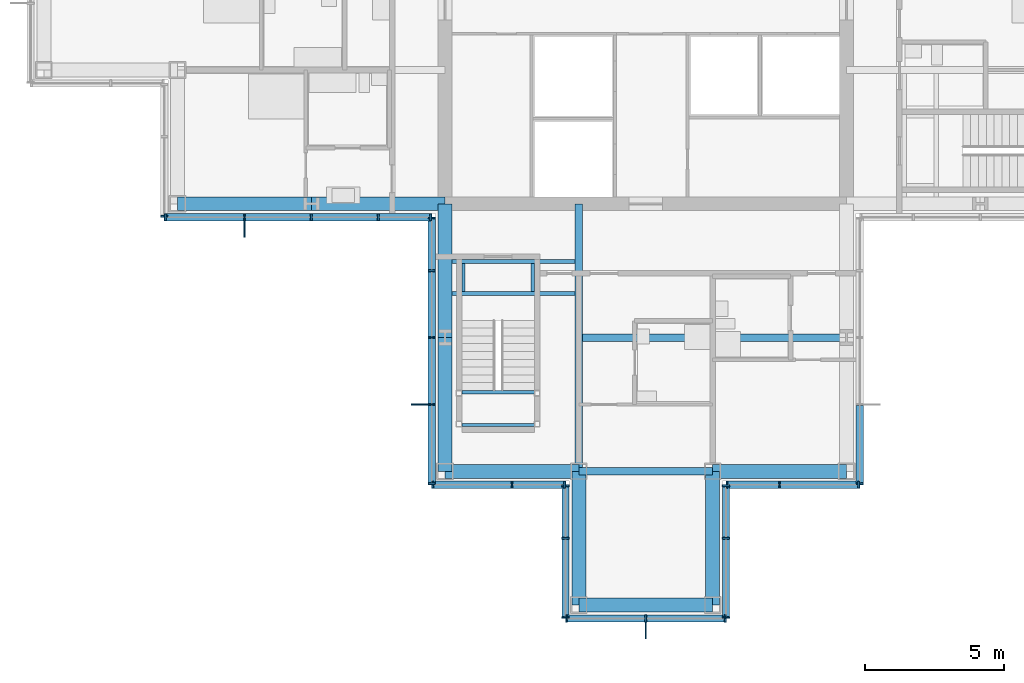
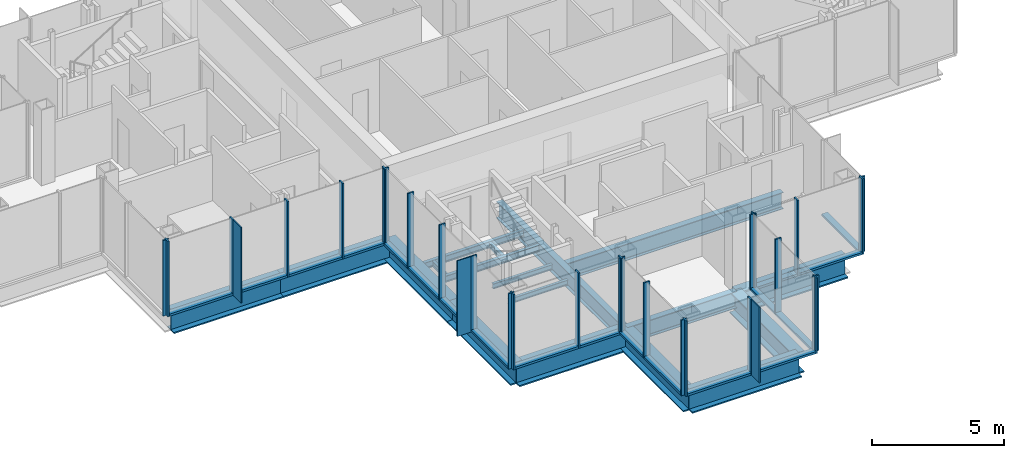
# One storey, part 5 of 15: 49 members, 18 beams, 9 elements without a shape of their own.
"""IFC4 building model written with IfcOpenShell, lengths in metres."""

from ifc_helpers import new_model, si_unit, direction, frame, origin, origin_2d, place, context, subcontext, project, spatial, rectangle, i_section, extrude, material, material_profile, profile_set, type_object, element, aggregate, save


model = new_model("IFC4")

# Units and contexts
model_context = context("Model", 3, precision=1e-05, world=origin(), true_north=direction((0.0, 1.0)))
body_context = subcontext(model_context, "Body", "Model", "MODEL_VIEW")
ifc_project = project(units=[si_unit("LENGTHUNIT", "METRE"), si_unit("AREAUNIT", "SQUARE_METRE"), si_unit("VOLUMEUNIT", "CUBIC_METRE"), si_unit("PLANEANGLEUNIT", "RADIAN"), si_unit("MASSUNIT", "GRAM", prefix="KILO")], contexts=[model_context])

# Site, building, storey
site_placement = place(None, origin())
site = spatial("IfcSite", under=ifc_project, at=site_placement, CompositionType="ELEMENT")
building_placement = place(site_placement, origin())
building = spatial("IfcBuilding", under=site, at=building_placement, Name="Kvirike Care Tower", CompositionType="ELEMENT")
storey_placement = place(building_placement, frame((0.0, 0.0, 208.5)))
storey = spatial("IfcBuildingStorey", under=building, at=storey_placement, Name="L57", CompositionType="ELEMENT", Elevation=208.5)

# Curtain wall, member
ifc_material_1 = material(Name="Anodised aluminium stick system", Category="aluminium")
curtain_wall_type = type_object("IfcCurtainWallType", Name="CW-D STICK CURTAIN WALL", PredefinedType="NOTDEFINED", material=ifc_material_1)
curtain_wall_1_placement = place(storey_placement, origin())
curtain_wall_1 = element("IfcCurtainWall", 1, at=curtain_wall_1_placement, inside=storey, type_object=curtain_wall_type, Name="Curtain wall L57 face 13", PredefinedType="NOTDEFINED")
ifc_material_2 = material(Name="Bronze anodised aluminium fin", Category="aluminium")
ifc_material_profile_1 = material_profile(ifc_material_2, rectangle(XDim=0.050048828125, YDim=0.60009765625, at=origin_2d()), Name="BRONZE FIN 600")
ifc_profile_set_1 = profile_set([ifc_material_profile_1], Name="Bronze anodised aluminium fin")
member_type_1 = type_object("IfcMemberType", Name="BRONZE FIN 600", PredefinedType="USERDEFINED", material=ifc_profile_set_1)
member_1_placement = place(storey_placement, frame((7.199951171875, 27.889892578125, 0.0), z_axis=(0.0, 0.0, 1.0), x_axis=(1.0, 0.0, 0.0)))
member_1 = element("IfcMember", 2, at=member_1_placement, type_object=member_type_1, Name="Bronze fin L57 face 13.2", ObjectType="FIN", PredefinedType="USERDEFINED", context=body_context, shape_type="SweptSolid", body=[
    extrude(rectangle(XDim=0.050048828125, YDim=0.60009765625, at=origin_2d()), origin(), (0.0, 0.0, 1.0), 3.5),
])

curtain_wall_2_placement = place(storey_placement, origin())
curtain_wall_2 = element("IfcCurtainWall", 3, at=curtain_wall_2_placement, inside=storey, type_object=curtain_wall_type, Name="Curtain wall L57 face 14", PredefinedType="NOTDEFINED")
member_2_placement = place(storey_placement, frame((13.489990234375, 21.60009765625, 0.0), z_axis=(0.0, 0.0, 1.0), x_axis=(0.0, -1.0, 0.0)))
member_2 = element("IfcMember", 4, at=member_2_placement, type_object=member_type_1, Name="Bronze fin L57 face 14.4", ObjectType="FIN", PredefinedType="USERDEFINED", context=body_context, shape_type="SweptSolid", body=[
    extrude(rectangle(XDim=0.050048828125, YDim=0.60009765625, at=origin_2d()), origin(), (0.0, 0.0, 1.0), 3.5),
])

curtain_wall_3_placement = place(storey_placement, origin())
curtain_wall_3 = element("IfcCurtainWall", 5, at=curtain_wall_3_placement, inside=storey, type_object=curtain_wall_type, Name="Curtain wall L57 face 17", PredefinedType="NOTDEFINED")
member_3_placement = place(storey_placement, frame((21.60009765625, 13.489990234375, 0.0), z_axis=(0.0, 0.0, 1.0), x_axis=(1.0, 0.0, 0.0)))
member_3 = element("IfcMember", 6, at=member_3_placement, type_object=member_type_1, Name="Bronze fin L57 face 17.2", ObjectType="FIN", PredefinedType="USERDEFINED", context=body_context, shape_type="SweptSolid", body=[
    extrude(rectangle(XDim=0.050048828125, YDim=0.60009765625, at=origin_2d()), origin(), (0.0, 0.0, 1.0), 3.5),
])

curtain_wall_4_placement = place(storey_placement, origin())
curtain_wall_4 = element("IfcCurtainWall", 7, at=curtain_wall_4_placement, inside=storey, type_object=curtain_wall_type, Name="Curtain wall L57 face 12", PredefinedType="NOTDEFINED")
ifc_material_3 = material(Name="Bronze anodised aluminium mullion", Category="aluminium")
ifc_material_profile_2 = material_profile(ifc_material_3, rectangle(XDim=0.06494140625, YDim=0.260009765625, at=origin_2d()), Name="CW-D MULLION 65x260")
ifc_profile_set_2 = profile_set([ifc_material_profile_2], Name="Bronze anodised aluminium mullion")
member_type_2 = type_object("IfcMemberType", Name="CW-D MULLION 65x260", PredefinedType="MULLION", material=ifc_profile_set_2)
member_4_placement = place(storey_placement, frame((4.320068359375, 28.3525390625, 0.0), z_axis=(0.0, 0.0, 1.0), x_axis=(0.0, -1.0, 0.0)))
member_4 = element("IfcMember", 8, at=member_4_placement, type_object=member_type_2, Name="CW-D mullion L57 face 12.3", PredefinedType="MULLION", context=body_context, shape_type="SweptSolid", body=[
    extrude(rectangle(XDim=0.06494140625, YDim=0.260009765625, at=origin_2d()), origin(), (0.0, 0.0, 1.0), 3.5),
])
aggregate(curtain_wall_4, [member_4])

# Member
member_5_placement = place(storey_placement, frame((4.3525390625, 28.320068359375, 0.0), z_axis=(0.0, 0.0, 1.0), x_axis=(1.0, 0.0, 0.0)))
member_5 = element("IfcMember", 9, at=member_5_placement, type_object=member_type_2, Name="CW-D mullion L57 face 13.1", PredefinedType="MULLION", context=body_context, shape_type="SweptSolid", body=[
    extrude(rectangle(XDim=0.06494140625, YDim=0.260009765625, at=origin_2d()), origin(), (0.0, 0.0, 1.0), 3.5),
])

member_6_placement = place(storey_placement, frame((7.199951171875, 28.320068359375, 0.0), z_axis=(0.0, 0.0, 1.0), x_axis=(1.0, 0.0, 0.0)))
member_6 = element("IfcMember", 10, at=member_6_placement, type_object=member_type_2, Name="CW-D mullion L57 face 13.2", PredefinedType="MULLION", context=body_context, shape_type="SweptSolid", body=[
    extrude(rectangle(XDim=0.06494140625, YDim=0.260009765625, at=origin_2d()), origin(), (0.0, 0.0, 1.0), 3.5),
])

member_7_placement = place(storey_placement, frame((9.60009765625, 28.320068359375, 0.0), z_axis=(0.0, 0.0, 1.0), x_axis=(1.0, 0.0, 0.0)))
member_7 = element("IfcMember", 11, at=member_7_placement, type_object=member_type_2, Name="CW-D mullion L57 face 13.3", PredefinedType="MULLION", context=body_context, shape_type="SweptSolid", body=[
    extrude(rectangle(XDim=0.06494140625, YDim=0.260009765625, at=origin_2d()), origin(), (0.0, 0.0, 1.0), 3.5),
])

member_8_placement = place(storey_placement, frame((12.0, 28.320068359375, 0.0), z_axis=(0.0, 0.0, 1.0), x_axis=(1.0, 0.0, 0.0)))
member_8 = element("IfcMember", 12, at=member_8_placement, type_object=member_type_2, Name="CW-D mullion L57 face 13.4", PredefinedType="MULLION", context=body_context, shape_type="SweptSolid", body=[
    extrude(rectangle(XDim=0.06494140625, YDim=0.260009765625, at=origin_2d()), origin(), (0.0, 0.0, 1.0), 3.5),
])

member_9_placement = place(storey_placement, frame((13.887451171875, 28.320068359375, 0.0), z_axis=(0.0, 0.0, 1.0), x_axis=(1.0, 0.0, 0.0)))
member_9 = element("IfcMember", 13, at=member_9_placement, type_object=member_type_2, Name="CW-D mullion L57 face 13.5", PredefinedType="MULLION", context=body_context, shape_type="SweptSolid", body=[
    extrude(rectangle(XDim=0.06494140625, YDim=0.260009765625, at=origin_2d()), origin(), (0.0, 0.0, 1.0), 3.5),
])

member_10_placement = place(storey_placement, frame((13.919921875, 28.28759765625, 0.0), z_axis=(0.0, 0.0, 1.0), x_axis=(0.0, -1.0, 0.0)))
member_10 = element("IfcMember", 14, at=member_10_placement, type_object=member_type_2, Name="CW-D mullion L57 face 14.1", PredefinedType="MULLION", context=body_context, shape_type="SweptSolid", body=[
    extrude(rectangle(XDim=0.06494140625, YDim=0.260009765625, at=origin_2d()), origin(), (0.0, 0.0, 1.0), 3.5),
])

member_11_placement = place(storey_placement, frame((13.919921875, 26.39990234375, 0.0), z_axis=(0.0, 0.0, 1.0), x_axis=(0.0, -1.0, 0.0)))
member_11 = element("IfcMember", 15, at=member_11_placement, type_object=member_type_2, Name="CW-D mullion L57 face 14.2", PredefinedType="MULLION", context=body_context, shape_type="SweptSolid", body=[
    extrude(rectangle(XDim=0.06494140625, YDim=0.260009765625, at=origin_2d()), origin(), (0.0, 0.0, 1.0), 3.5),
])

member_12_placement = place(storey_placement, frame((13.919921875, 24.0, 0.0), z_axis=(0.0, 0.0, 1.0), x_axis=(0.0, -1.0, 0.0)))
member_12 = element("IfcMember", 16, at=member_12_placement, type_object=member_type_2, Name="CW-D mullion L57 face 14.3", PredefinedType="MULLION", context=body_context, shape_type="SweptSolid", body=[
    extrude(rectangle(XDim=0.06494140625, YDim=0.260009765625, at=origin_2d()), origin(), (0.0, 0.0, 1.0), 3.5),
])

member_13_placement = place(storey_placement, frame((13.919921875, 21.60009765625, 0.0), z_axis=(0.0, 0.0, 1.0), x_axis=(0.0, -1.0, 0.0)))
member_13 = element("IfcMember", 17, at=member_13_placement, type_object=member_type_2, Name="CW-D mullion L57 face 14.4", PredefinedType="MULLION", context=body_context, shape_type="SweptSolid", body=[
    extrude(rectangle(XDim=0.06494140625, YDim=0.260009765625, at=origin_2d()), origin(), (0.0, 0.0, 1.0), 3.5),
])

member_14_placement = place(storey_placement, frame((13.919921875, 18.75244140625, 0.0), z_axis=(0.0, 0.0, 1.0), x_axis=(0.0, -1.0, 0.0)))
member_14 = element("IfcMember", 18, at=member_14_placement, type_object=member_type_2, Name="CW-D mullion L57 face 14.5", PredefinedType="MULLION", context=body_context, shape_type="SweptSolid", body=[
    extrude(rectangle(XDim=0.06494140625, YDim=0.260009765625, at=origin_2d()), origin(), (0.0, 0.0, 1.0), 3.5),
])

# Curtain wall, members
curtain_wall_5_placement = place(storey_placement, origin())
curtain_wall_5 = element("IfcCurtainWall", 19, at=curtain_wall_5_placement, inside=storey, type_object=curtain_wall_type, Name="Curtain wall L57 face 15", PredefinedType="NOTDEFINED")
member_15_placement = place(storey_placement, frame((13.952392578125, 18.719970703125, 0.0), z_axis=(0.0, 0.0, 1.0), x_axis=(1.0, 0.0, 0.0)))
member_15 = element("IfcMember", 20, at=member_15_placement, type_object=member_type_2, Name="CW-D mullion L57 face 15.1", PredefinedType="MULLION", context=body_context, shape_type="SweptSolid", body=[
    extrude(rectangle(XDim=0.06494140625, YDim=0.260009765625, at=origin_2d()), origin(), (0.0, 0.0, 1.0), 3.5),
])
member_16_placement = place(storey_placement, frame((16.800048828125, 18.719970703125, 0.0), z_axis=(0.0, 0.0, 1.0), x_axis=(1.0, 0.0, 0.0)))
member_16 = element("IfcMember", 21, at=member_16_placement, type_object=member_type_2, Name="CW-D mullion L57 face 15.2", PredefinedType="MULLION", context=body_context, shape_type="SweptSolid", body=[
    extrude(rectangle(XDim=0.06494140625, YDim=0.260009765625, at=origin_2d()), origin(), (0.0, 0.0, 1.0), 3.5),
])
member_17_placement = place(storey_placement, frame((18.6875, 18.719970703125, 0.0), z_axis=(0.0, 0.0, 1.0), x_axis=(1.0, 0.0, 0.0)))
member_17 = element("IfcMember", 22, at=member_17_placement, type_object=member_type_2, Name="CW-D mullion L57 face 15.3", PredefinedType="MULLION", context=body_context, shape_type="SweptSolid", body=[
    extrude(rectangle(XDim=0.06494140625, YDim=0.260009765625, at=origin_2d()), origin(), (0.0, 0.0, 1.0), 3.5),
])

curtain_wall_6_placement = place(storey_placement, origin())
curtain_wall_6 = element("IfcCurtainWall", 23, at=curtain_wall_6_placement, inside=storey, type_object=curtain_wall_type, Name="Curtain wall L57 face 16", PredefinedType="NOTDEFINED")
member_18_placement = place(storey_placement, frame((18.719970703125, 18.6875, 0.0), z_axis=(0.0, 0.0, 1.0), x_axis=(0.0, -1.0, 0.0)))
member_18 = element("IfcMember", 24, at=member_18_placement, type_object=member_type_2, Name="CW-D mullion L57 face 16.1", PredefinedType="MULLION", context=body_context, shape_type="SweptSolid", body=[
    extrude(rectangle(XDim=0.06494140625, YDim=0.260009765625, at=origin_2d()), origin(), (0.0, 0.0, 1.0), 3.5),
])
member_19_placement = place(storey_placement, frame((18.719970703125, 16.800048828125, 0.0), z_axis=(0.0, 0.0, 1.0), x_axis=(0.0, -1.0, 0.0)))
member_19 = element("IfcMember", 25, at=member_19_placement, type_object=member_type_2, Name="CW-D mullion L57 face 16.2", PredefinedType="MULLION", context=body_context, shape_type="SweptSolid", body=[
    extrude(rectangle(XDim=0.06494140625, YDim=0.260009765625, at=origin_2d()), origin(), (0.0, 0.0, 1.0), 3.5),
])
member_20_placement = place(storey_placement, frame((18.719970703125, 13.952392578125, 0.0), z_axis=(0.0, 0.0, 1.0), x_axis=(0.0, -1.0, 0.0)))
member_20 = element("IfcMember", 26, at=member_20_placement, type_object=member_type_2, Name="CW-D mullion L57 face 16.3", PredefinedType="MULLION", context=body_context, shape_type="SweptSolid", body=[
    extrude(rectangle(XDim=0.06494140625, YDim=0.260009765625, at=origin_2d()), origin(), (0.0, 0.0, 1.0), 3.5),
])

# Member
member_21_placement = place(storey_placement, frame((18.75244140625, 13.919921875, 0.0), z_axis=(0.0, 0.0, 1.0), x_axis=(1.0, 0.0, 0.0)))
member_21 = element("IfcMember", 27, at=member_21_placement, type_object=member_type_2, Name="CW-D mullion L57 face 17.1", PredefinedType="MULLION", context=body_context, shape_type="SweptSolid", body=[
    extrude(rectangle(XDim=0.06494140625, YDim=0.260009765625, at=origin_2d()), origin(), (0.0, 0.0, 1.0), 3.5),
])

member_22_placement = place(storey_placement, frame((21.60009765625, 13.919921875, 0.0), z_axis=(0.0, 0.0, 1.0), x_axis=(1.0, 0.0, 0.0)))
member_22 = element("IfcMember", 28, at=member_22_placement, type_object=member_type_2, Name="CW-D mullion L57 face 17.2", PredefinedType="MULLION", context=body_context, shape_type="SweptSolid", body=[
    extrude(rectangle(XDim=0.06494140625, YDim=0.260009765625, at=origin_2d()), origin(), (0.0, 0.0, 1.0), 3.5),
])

member_23_placement = place(storey_placement, frame((24.447509765625, 13.919921875, 0.0), z_axis=(0.0, 0.0, 1.0), x_axis=(1.0, 0.0, 0.0)))
member_23 = element("IfcMember", 29, at=member_23_placement, type_object=member_type_2, Name="CW-D mullion L57 face 17.3", PredefinedType="MULLION", context=body_context, shape_type="SweptSolid", body=[
    extrude(rectangle(XDim=0.06494140625, YDim=0.260009765625, at=origin_2d()), origin(), (0.0, 0.0, 1.0), 3.5),
])

# Curtain wall, members
curtain_wall_7_placement = place(storey_placement, origin())
curtain_wall_7 = element("IfcCurtainWall", 30, at=curtain_wall_7_placement, inside=storey, type_object=curtain_wall_type, Name="Curtain wall L57 face 18", PredefinedType="NOTDEFINED")
member_24_placement = place(storey_placement, frame((24.47998046875, 13.952392578125, 0.0), z_axis=(0.0, 0.0, 1.0), x_axis=(0.0, 1.0, 0.0)))
member_24 = element("IfcMember", 31, at=member_24_placement, type_object=member_type_2, Name="CW-D mullion L57 face 18.1", PredefinedType="MULLION", context=body_context, shape_type="SweptSolid", body=[
    extrude(rectangle(XDim=0.06494140625, YDim=0.260009765625, at=origin_2d()), origin(), (0.0, 0.0, 1.0), 3.5),
])
member_25_placement = place(storey_placement, frame((24.47998046875, 16.800048828125, 0.0), z_axis=(0.0, 0.0, 1.0), x_axis=(0.0, 1.0, 0.0)))
member_25 = element("IfcMember", 32, at=member_25_placement, type_object=member_type_2, Name="CW-D mullion L57 face 18.2", PredefinedType="MULLION", context=body_context, shape_type="SweptSolid", body=[
    extrude(rectangle(XDim=0.06494140625, YDim=0.260009765625, at=origin_2d()), origin(), (0.0, 0.0, 1.0), 3.5),
])
member_26_placement = place(storey_placement, frame((24.47998046875, 18.6875, 0.0), z_axis=(0.0, 0.0, 1.0), x_axis=(0.0, 1.0, 0.0)))
member_26 = element("IfcMember", 33, at=member_26_placement, type_object=member_type_2, Name="CW-D mullion L57 face 18.3", PredefinedType="MULLION", context=body_context, shape_type="SweptSolid", body=[
    extrude(rectangle(XDim=0.06494140625, YDim=0.260009765625, at=origin_2d()), origin(), (0.0, 0.0, 1.0), 3.5),
])

curtain_wall_8_placement = place(storey_placement, origin())
curtain_wall_8 = element("IfcCurtainWall", 34, at=curtain_wall_8_placement, inside=storey, type_object=curtain_wall_type, Name="Curtain wall L57 face 19", PredefinedType="NOTDEFINED")
member_27_placement = place(storey_placement, frame((24.512451171875, 18.719970703125, 0.0), z_axis=(0.0, 0.0, 1.0), x_axis=(1.0, 0.0, 0.0)))
member_27 = element("IfcMember", 35, at=member_27_placement, type_object=member_type_2, Name="CW-D mullion L57 face 19.1", PredefinedType="MULLION", context=body_context, shape_type="SweptSolid", body=[
    extrude(rectangle(XDim=0.06494140625, YDim=0.260009765625, at=origin_2d()), origin(), (0.0, 0.0, 1.0), 3.5),
])
member_28_placement = place(storey_placement, frame((26.39990234375, 18.719970703125, 0.0), z_axis=(0.0, 0.0, 1.0), x_axis=(1.0, 0.0, 0.0)))
member_28 = element("IfcMember", 36, at=member_28_placement, type_object=member_type_2, Name="CW-D mullion L57 face 19.2", PredefinedType="MULLION", context=body_context, shape_type="SweptSolid", body=[
    extrude(rectangle(XDim=0.06494140625, YDim=0.260009765625, at=origin_2d()), origin(), (0.0, 0.0, 1.0), 3.5),
])
member_29_placement = place(storey_placement, frame((29.24755859375, 18.719970703125, 0.0), z_axis=(0.0, 0.0, 1.0), x_axis=(1.0, 0.0, 0.0)))
member_29 = element("IfcMember", 37, at=member_29_placement, type_object=member_type_2, Name="CW-D mullion L57 face 19.3", PredefinedType="MULLION", context=body_context, shape_type="SweptSolid", body=[
    extrude(rectangle(XDim=0.06494140625, YDim=0.260009765625, at=origin_2d()), origin(), (0.0, 0.0, 1.0), 3.5),
])

# Curtain wall, member
curtain_wall_9_placement = place(storey_placement, origin())
curtain_wall_9 = element("IfcCurtainWall", 38, at=curtain_wall_9_placement, inside=storey, type_object=curtain_wall_type, Name="Curtain wall L57 face 20", PredefinedType="NOTDEFINED")
member_30_placement = place(storey_placement, frame((29.280029296875, 18.75244140625, 0.0), z_axis=(0.0, 0.0, 1.0), x_axis=(0.0, 1.0, 0.0)))
member_30 = element("IfcMember", 39, at=member_30_placement, type_object=member_type_2, Name="CW-D mullion L57 face 20.1", PredefinedType="MULLION", context=body_context, shape_type="SweptSolid", body=[
    extrude(rectangle(XDim=0.06494140625, YDim=0.260009765625, at=origin_2d()), origin(), (0.0, 0.0, 1.0), 3.5),
])

# Member
ifc_material_4 = material(Name="Bronze anodised aluminium transom", Category="aluminium")
ifc_material_profile_3 = material_profile(ifc_material_4, rectangle(XDim=0.260009765625, YDim=0.10009765625, at=origin_2d()), Name="CW-D TRANSOM 260x100")
ifc_profile_set_3 = profile_set([ifc_material_profile_3], Name="Bronze anodised aluminium transom")
member_type_3 = type_object("IfcMemberType", Name="CW-D TRANSOM 260x100", PredefinedType="USERDEFINED", material=ifc_profile_set_3)
member_31_placement = place(storey_placement, frame((4.385009765625, 28.320068359375, 0.050048828125), z_axis=(1.0, 0.0, 0.0), x_axis=(0.0, 1.0, 0.0)))
member_31 = element("IfcMember", 40, at=member_31_placement, type_object=member_type_3, Name="CW-D sill transom L57 face 13.1", ObjectType="TRANSOM", PredefinedType="USERDEFINED", context=body_context, shape_type="SweptSolid", body=[
    extrude(rectangle(XDim=0.260009765625, YDim=0.10009765625, at=origin_2d()), origin(), (0.0, 0.0, 1.0), 2.782470703125),
])

member_32_placement = place(storey_placement, frame((7.232421875, 28.320068359375, 0.050048828125), z_axis=(1.0, 0.0, 0.0), x_axis=(0.0, 1.0, 0.0)))
member_32 = element("IfcMember", 41, at=member_32_placement, type_object=member_type_3, Name="CW-D sill transom L57 face 13.2", ObjectType="TRANSOM", PredefinedType="USERDEFINED", context=body_context, shape_type="SweptSolid", body=[
    extrude(rectangle(XDim=0.260009765625, YDim=0.10009765625, at=origin_2d()), origin(), (0.0, 0.0, 1.0), 2.3349609375),
])

member_33_placement = place(storey_placement, frame((9.632568359375, 28.320068359375, 0.050048828125), z_axis=(1.0, 0.0, 0.0), x_axis=(0.0, 1.0, 0.0)))
member_33 = element("IfcMember", 42, at=member_33_placement, type_object=member_type_3, Name="CW-D sill transom L57 face 13.3", ObjectType="TRANSOM", PredefinedType="USERDEFINED", context=body_context, shape_type="SweptSolid", body=[
    extrude(rectangle(XDim=0.260009765625, YDim=0.10009765625, at=origin_2d()), origin(), (0.0, 0.0, 1.0), 2.3349609375),
])

member_34_placement = place(storey_placement, frame((12.032470703125, 28.320068359375, 0.050048828125), z_axis=(1.0, 0.0, 0.0), x_axis=(0.0, 1.0, 0.0)))
member_34 = element("IfcMember", 43, at=member_34_placement, type_object=member_type_3, Name="CW-D sill transom L57 face 13.4", ObjectType="TRANSOM", PredefinedType="USERDEFINED", context=body_context, shape_type="SweptSolid", body=[
    extrude(rectangle(XDim=0.260009765625, YDim=0.10009765625, at=origin_2d()), origin(), (0.0, 0.0, 1.0), 1.822509765625),
])

aggregate(curtain_wall_1, [member_5, member_6, member_1, member_7, member_8, member_9, member_31, member_32, member_33, member_34])

member_35_placement = place(storey_placement, frame((13.919921875, 28.2548828125, 0.050048828125), z_axis=(0.0, -1.0, 0.0), x_axis=(1.0, 0.0, 0.0)))
member_35 = element("IfcMember", 44, at=member_35_placement, type_object=member_type_3, Name="CW-D sill transom L57 face 14.1", ObjectType="TRANSOM", PredefinedType="USERDEFINED", context=body_context, shape_type="SweptSolid", body=[
    extrude(rectangle(XDim=0.260009765625, YDim=0.10009765625, at=origin_2d()), origin(), (0.0, 0.0, 1.0), 1.822265625),
])

member_36_placement = place(storey_placement, frame((13.919921875, 26.367431640625, 0.050048828125), z_axis=(0.0, -1.0, 0.0), x_axis=(1.0, 0.0, 0.0)))
member_36 = element("IfcMember", 45, at=member_36_placement, type_object=member_type_3, Name="CW-D sill transom L57 face 14.2", ObjectType="TRANSOM", PredefinedType="USERDEFINED", context=body_context, shape_type="SweptSolid", body=[
    extrude(rectangle(XDim=0.260009765625, YDim=0.10009765625, at=origin_2d()), origin(), (0.0, 0.0, 1.0), 2.3349609375),
])

member_37_placement = place(storey_placement, frame((13.919921875, 23.967529296875, 0.050048828125), z_axis=(0.0, -1.0, 0.0), x_axis=(1.0, 0.0, 0.0)))
member_37 = element("IfcMember", 46, at=member_37_placement, type_object=member_type_3, Name="CW-D sill transom L57 face 14.3", ObjectType="TRANSOM", PredefinedType="USERDEFINED", context=body_context, shape_type="SweptSolid", body=[
    extrude(rectangle(XDim=0.260009765625, YDim=0.10009765625, at=origin_2d()), origin(), (0.0, 0.0, 1.0), 2.3349609375),
])

member_38_placement = place(storey_placement, frame((13.919921875, 21.5673828125, 0.050048828125), z_axis=(0.0, -1.0, 0.0), x_axis=(1.0, 0.0, 0.0)))
member_38 = element("IfcMember", 47, at=member_38_placement, type_object=member_type_3, Name="CW-D sill transom L57 face 14.4", ObjectType="TRANSOM", PredefinedType="USERDEFINED", context=body_context, shape_type="SweptSolid", body=[
    extrude(rectangle(XDim=0.260009765625, YDim=0.10009765625, at=origin_2d()), origin(), (0.0, 0.0, 1.0), 2.782470703125),
])

aggregate(curtain_wall_2, [member_10, member_11, member_12, member_13, member_2, member_14, member_35, member_36, member_37, member_38])

member_39_placement = place(storey_placement, frame((13.985107421875, 18.719970703125, 0.050048828125), z_axis=(1.0, 0.0, 0.0), x_axis=(0.0, 1.0, 0.0)))
member_39 = element("IfcMember", 48, at=member_39_placement, type_object=member_type_3, Name="CW-D sill transom L57 face 15.1", ObjectType="TRANSOM", PredefinedType="USERDEFINED", context=body_context, shape_type="SweptSolid", body=[
    extrude(rectangle(XDim=0.260009765625, YDim=0.10009765625, at=origin_2d()), origin(), (0.0, 0.0, 1.0), 2.782470703125),
])

member_40_placement = place(storey_placement, frame((16.83251953125, 18.719970703125, 0.050048828125), z_axis=(1.0, 0.0, 0.0), x_axis=(0.0, 1.0, 0.0)))
member_40 = element("IfcMember", 49, at=member_40_placement, type_object=member_type_3, Name="CW-D sill transom L57 face 15.2", ObjectType="TRANSOM", PredefinedType="USERDEFINED", context=body_context, shape_type="SweptSolid", body=[
    extrude(rectangle(XDim=0.260009765625, YDim=0.10009765625, at=origin_2d()), origin(), (0.0, 0.0, 1.0), 1.822509765625),
])

aggregate(curtain_wall_5, [member_15, member_16, member_17, member_39, member_40])

member_41_placement = place(storey_placement, frame((18.719970703125, 18.655029296875, 0.050048828125), z_axis=(0.0, -1.0, 0.0), x_axis=(1.0, 0.0, 0.0)))
member_41 = element("IfcMember", 50, at=member_41_placement, type_object=member_type_3, Name="CW-D sill transom L57 face 16.1", ObjectType="TRANSOM", PredefinedType="USERDEFINED", context=body_context, shape_type="SweptSolid", body=[
    extrude(rectangle(XDim=0.260009765625, YDim=0.10009765625, at=origin_2d()), origin(), (0.0, 0.0, 1.0), 1.822509765625),
])

member_42_placement = place(storey_placement, frame((18.719970703125, 16.767578125, 0.050048828125), z_axis=(0.0, -1.0, 0.0), x_axis=(1.0, 0.0, 0.0)))
member_42 = element("IfcMember", 51, at=member_42_placement, type_object=member_type_3, Name="CW-D sill transom L57 face 16.2", ObjectType="TRANSOM", PredefinedType="USERDEFINED", context=body_context, shape_type="SweptSolid", body=[
    extrude(rectangle(XDim=0.260009765625, YDim=0.10009765625, at=origin_2d()), origin(), (0.0, 0.0, 1.0), 2.782470703125),
])

aggregate(curtain_wall_6, [member_18, member_19, member_20, member_41, member_42])

member_43_placement = place(storey_placement, frame((18.784912109375, 13.919921875, 0.050048828125), z_axis=(1.0, 0.0, 0.0), x_axis=(0.0, 1.0, 0.0)))
member_43 = element("IfcMember", 52, at=member_43_placement, type_object=member_type_3, Name="CW-D sill transom L57 face 17.1", ObjectType="TRANSOM", PredefinedType="USERDEFINED", context=body_context, shape_type="SweptSolid", body=[
    extrude(rectangle(XDim=0.260009765625, YDim=0.10009765625, at=origin_2d()), origin(), (0.0, 0.0, 1.0), 2.782470703125),
])

member_44_placement = place(storey_placement, frame((21.632568359375, 13.919921875, 0.050048828125), z_axis=(1.0, 0.0, 0.0), x_axis=(0.0, 1.0, 0.0)))
member_44 = element("IfcMember", 53, at=member_44_placement, type_object=member_type_3, Name="CW-D sill transom L57 face 17.2", ObjectType="TRANSOM", PredefinedType="USERDEFINED", context=body_context, shape_type="SweptSolid", body=[
    extrude(rectangle(XDim=0.260009765625, YDim=0.10009765625, at=origin_2d()), origin(), (0.0, 0.0, 1.0), 2.782470703125),
])

aggregate(curtain_wall_3, [member_21, member_22, member_3, member_23, member_43, member_44])

member_45_placement = place(storey_placement, frame((24.47998046875, 13.985107421875, 0.050048828125), z_axis=(0.0, 1.0, 0.0), x_axis=(-1.0, 0.0, 0.0)))
member_45 = element("IfcMember", 54, at=member_45_placement, type_object=member_type_3, Name="CW-D sill transom L57 face 18.1", ObjectType="TRANSOM", PredefinedType="USERDEFINED", context=body_context, shape_type="SweptSolid", body=[
    extrude(rectangle(XDim=0.260009765625, YDim=0.10009765625, at=origin_2d()), origin(), (0.0, 0.0, 1.0), 2.782470703125),
])

member_46_placement = place(storey_placement, frame((24.47998046875, 16.83251953125, 0.050048828125), z_axis=(0.0, 1.0, 0.0), x_axis=(-1.0, 0.0, 0.0)))
member_46 = element("IfcMember", 55, at=member_46_placement, type_object=member_type_3, Name="CW-D sill transom L57 face 18.2", ObjectType="TRANSOM", PredefinedType="USERDEFINED", context=body_context, shape_type="SweptSolid", body=[
    extrude(rectangle(XDim=0.260009765625, YDim=0.10009765625, at=origin_2d()), origin(), (0.0, 0.0, 1.0), 1.822509765625),
])

aggregate(curtain_wall_7, [member_24, member_25, member_26, member_45, member_46])

member_47_placement = place(storey_placement, frame((24.544921875, 18.719970703125, 0.050048828125), z_axis=(1.0, 0.0, 0.0), x_axis=(0.0, 1.0, 0.0)))
member_47 = element("IfcMember", 56, at=member_47_placement, type_object=member_type_3, Name="CW-D sill transom L57 face 19.1", ObjectType="TRANSOM", PredefinedType="USERDEFINED", context=body_context, shape_type="SweptSolid", body=[
    extrude(rectangle(XDim=0.260009765625, YDim=0.10009765625, at=origin_2d()), origin(), (0.0, 0.0, 1.0), 1.822509765625),
])

member_48_placement = place(storey_placement, frame((26.4326171875, 18.719970703125, 0.050048828125), z_axis=(1.0, 0.0, 0.0), x_axis=(0.0, 1.0, 0.0)))
member_48 = element("IfcMember", 57, at=member_48_placement, type_object=member_type_3, Name="CW-D sill transom L57 face 19.2", ObjectType="TRANSOM", PredefinedType="USERDEFINED", context=body_context, shape_type="SweptSolid", body=[
    extrude(rectangle(XDim=0.260009765625, YDim=0.10009765625, at=origin_2d()), origin(), (0.0, 0.0, 1.0), 2.782470703125),
])

aggregate(curtain_wall_8, [member_27, member_28, member_29, member_47, member_48])

member_49_placement = place(storey_placement, frame((29.280029296875, 18.784912109375, 0.050048828125), z_axis=(0.0, 1.0, 0.0), x_axis=(-1.0, 0.0, 0.0)))
member_49 = element("IfcMember", 58, at=member_49_placement, type_object=member_type_3, Name="CW-D sill transom L57 face 20.1", ObjectType="TRANSOM", PredefinedType="USERDEFINED", context=body_context, shape_type="SweptSolid", body=[
    extrude(rectangle(XDim=0.260009765625, YDim=0.10009765625, at=origin_2d()), origin(), (0.0, 0.0, 1.0), 2.782470703125),
])

aggregate(curtain_wall_9, [member_30, member_49])

# Beams
ifc_material_5 = material(Name="Steel S355", Category="steel")
ifc_material_profile_4 = material_profile(ifc_material_5, i_section(OverallWidth=0.26806640625, OverallDepth=0.77001953125, WebThickness=0.015625, FlangeThickness=0.025390625, FilletRadius=0.01708984375, at=origin_2d()), Name="IPE 750x196")
ifc_profile_set_4 = profile_set([ifc_material_profile_4], Name="Steel S355")
beam_type_1 = type_object("IfcBeamType", Name="FLOOR BEAM IPE 750x196", PredefinedType="BEAM", material=ifc_profile_set_4)
beam_1_placement = place(storey_placement, frame((19.199951171875, 19.199951171875, -0.554931640625), z_axis=(1.0, 0.0, 0.0), x_axis=(0.0, 1.0, 0.0)))
element("IfcBeam", 59, at=beam_1_placement, inside=storey, type_object=beam_type_1, Name="Floor Beam E7-E8 L57", PredefinedType="BEAM", context=body_context, shape_type="SweptSolid", body=[
    extrude(i_section(OverallWidth=0.26806640625, OverallDepth=0.77001953125, WebThickness=0.015625, FlangeThickness=0.025390625, FilletRadius=0.01708984375, at=origin_2d()), origin(), (0.0, 0.0, 1.0), 4.800048828125),
])
for number, where, z_axis, x_axis, name in (
    (60, (19.199951171875, 24.0, -0.554931640625), (1.0, 0.0, 0.0), (0.0, 1.0, 0.0), "Floor Beam F7-F9 L57"),
    (61, (19.199951171875, 19.199951171875, -0.554931640625), (0.0, 1.0, 0.0), (-1.0, 0.0, 0.0), "Floor Beam E7-G7 L57"),
):
    element("IfcBeam", number, at=place(storey_placement, frame(where, z_axis=z_axis, x_axis=x_axis)), inside=storey, type_object=beam_type_1, Name=name, PredefinedType="BEAM", context=body_context, shape_type="SweptSolid", body=[
        extrude(i_section(OverallWidth=0.26806640625, OverallDepth=0.77001953125, WebThickness=0.015625, FlangeThickness=0.025390625, FilletRadius=0.01708984375, at=origin_2d()), origin(), (0.0, 0.0, 1.0), 9.60009765625),
    ])
ifc_material_6 = material(Name="Steel S355", Category="steel")
ifc_material_profile_5 = material_profile(ifc_material_6, i_section(OverallWidth=0.5, OverallDepth=1.0, WebThickness=0.030029296875, FlangeThickness=0.06005859375, at=origin_2d()), Name="PG 1000x500x30x60")
ifc_profile_set_5 = profile_set([ifc_material_profile_5], Name="Steel S355")
beam_type_2 = type_object("IfcBeamType", Name="SPANDREL PG 1000x500x30x60", PredefinedType="SPANDREL", material=ifc_profile_set_5)
for number, where, z_axis, x_axis, name in (
    (62, (19.199951171875, 14.39990234375, -0.669921875), (1.0, 0.0, 0.0), (0.0, 1.0, 0.0), "Spandrel D7-D8 L57"),
    (63, (14.39990234375, 19.199951171875, -0.669921875), (1.0, 0.0, 0.0), (0.0, 1.0, 0.0), "Spandrel E6-E7 L57"),
    (64, (24.0, 19.199951171875, -0.669921875), (1.0, 0.0, 0.0), (0.0, 1.0, 0.0), "Spandrel E8-E9 L57"),
    (65, (4.800048828125, 28.800048828125, -0.669921875), (1.0, 0.0, 0.0), (0.0, 1.0, 0.0), "Spandrel G4-G5 L57"),
):
    element("IfcBeam", number, at=place(storey_placement, frame(where, z_axis=z_axis, x_axis=x_axis)), inside=storey, type_object=beam_type_2, Name=name, PredefinedType="SPANDREL", context=body_context, shape_type="SweptSolid", body=[
        extrude(i_section(OverallWidth=0.5, OverallDepth=1.0, WebThickness=0.030029296875, FlangeThickness=0.06005859375, at=origin_2d()), origin(), (0.0, 0.0, 1.0), 4.800048828125),
    ])
beam_2_placement = place(storey_placement, frame((9.60009765625, 28.800048828125, -0.669921875), z_axis=(1.0, 0.0, 0.0), x_axis=(0.0, 1.0, 0.0)))
element("IfcBeam", 66, at=beam_2_placement, inside=storey, type_object=beam_type_2, Name="Spandrel G5-G6 L57", PredefinedType="SPANDREL", context=body_context, shape_type="SweptSolid", body=[
    extrude(i_section(OverallWidth=0.5, OverallDepth=1.0, WebThickness=0.030029296875, FlangeThickness=0.06005859375, at=origin_2d()), origin(), (0.0, 0.0, 1.0), 4.7998046875),
])
for number, where, z_axis, x_axis, name in (
    (67, (14.39990234375, 19.199951171875, -0.669921875), (0.0, 1.0, 0.0), (-1.0, 0.0, 0.0), "Spandrel E6-F6 L57"),
    (68, (14.39990234375, 24.0, -0.669921875), (0.0, 1.0, 0.0), (-1.0, 0.0, 0.0), "Spandrel F6-G6 L57"),
    (69, (19.199951171875, 14.39990234375, -0.669921875), (0.0, 1.0, 0.0), (-1.0, 0.0, 0.0), "Spandrel D7-E7 L57"),
    (70, (24.0, 14.39990234375, -0.669921875), (0.0, 1.0, 0.0), (-1.0, 0.0, 0.0), "Spandrel D8-E8 L57"),
):
    element("IfcBeam", number, at=place(storey_placement, frame(where, z_axis=z_axis, x_axis=x_axis)), inside=storey, type_object=beam_type_2, Name=name, PredefinedType="SPANDREL", context=body_context, shape_type="SweptSolid", body=[
        extrude(i_section(OverallWidth=0.5, OverallDepth=1.0, WebThickness=0.030029296875, FlangeThickness=0.06005859375, at=origin_2d()), origin(), (0.0, 0.0, 1.0), 4.800048828125),
    ])
ifc_material_7 = material(Name="Steel S355", Category="steel")
ifc_material_profile_6 = material_profile(ifc_material_7, i_section(OverallWidth=0.1201171875, OverallDepth=0.239990234375, WebThickness=0.006103515625, FlangeThickness=0.009765625, FilletRadius=0.014892578125, at=origin_2d()), Name="IPE 240")
ifc_profile_set_6 = profile_set([ifc_material_profile_6], Name="Steel S355")
beam_type_3 = type_object("IfcBeamType", Name="STAIR LANDING BEAM IPE 240", PredefinedType="BEAM", material=ifc_profile_set_6)
for number, where, z_axis, x_axis, name in (
    (71, (15.0, 20.860107421875, 1.429931640625), (1.0, 0.0, 0.0), (0.0, 1.0, 0.0), "Stair 5 landing beam back L57"),
    (72, (15.0, 22.0400390625, 1.429931640625), (1.0, 0.0, 0.0), (0.0, 1.0, 0.0), "Stair 5 landing beam front L57"),
):
    element("IfcBeam", number, at=place(storey_placement, frame(where, z_axis=z_axis, x_axis=x_axis)), inside=storey, type_object=beam_type_3, Name=name, PredefinedType="BEAM", context=body_context, shape_type="SweptSolid", body=[
        extrude(i_section(OverallWidth=0.1201171875, OverallDepth=0.239990234375, WebThickness=0.006103515625, FlangeThickness=0.009765625, FilletRadius=0.014892578125, at=origin_2d()), origin(), (0.0, 0.0, 1.0), 2.60009765625),
    ])
for number, where, z_axis, x_axis, name in (
    (73, (15.06005859375, 25.64990234375, -0.320068359375), (0.0, 1.0, 0.0), (-1.0, 0.0, 0.0), "Stair 5 landing edge beam 1 L57"),
    (74, (17.5400390625, 25.64990234375, -0.320068359375), (0.0, 1.0, 0.0), (-1.0, 0.0, 0.0), "Stair 5 landing edge beam 2 L57"),
):
    element("IfcBeam", number, at=place(storey_placement, frame(where, z_axis=z_axis, x_axis=x_axis)), inside=storey, type_object=beam_type_3, Name=name, PredefinedType="BEAM", context=body_context, shape_type="SweptSolid", body=[
        extrude(i_section(OverallWidth=0.1201171875, OverallDepth=0.239990234375, WebThickness=0.006103515625, FlangeThickness=0.009765625, FilletRadius=0.014892578125, at=origin_2d()), origin(), (0.0, 0.0, 1.0), 1.0),
    ])
ifc_material_8 = material(Name="Steel S355", Category="steel")
ifc_material_profile_7 = material_profile(ifc_material_8, i_section(OverallWidth=0.14990234375, OverallDepth=0.300048828125, WebThickness=0.007080078125, FlangeThickness=0.0107421875, FilletRadius=0.014892578125, at=origin_2d()), Name="IPE 300")
ifc_profile_set_7 = profile_set([ifc_material_profile_7], Name="Steel S355")
beam_type_4 = type_object("IfcBeamType", Name="STAIR TRIMMER IPE 300", PredefinedType="BEAM", material=ifc_profile_set_7)
for number, where, z_axis, x_axis, name in (
    (75, (14.64990234375, 25.574951171875, -0.35009765625), (1.0, 0.0, 0.0), (0.0, 1.0, 0.0), "Stair 5 trimmer 1 L57"),
    (76, (14.64990234375, 26.72509765625, -0.35009765625), (1.0, 0.0, 0.0), (0.0, 1.0, 0.0), "Stair 5 trimmer 2 L57"),
):
    element("IfcBeam", number, at=place(storey_placement, frame(where, z_axis=z_axis, x_axis=x_axis)), inside=storey, type_object=beam_type_4, Name=name, PredefinedType="BEAM", context=body_context, shape_type="SweptSolid", body=[
        extrude(i_section(OverallWidth=0.14990234375, OverallDepth=0.300048828125, WebThickness=0.007080078125, FlangeThickness=0.0107421875, FilletRadius=0.014892578125, at=origin_2d()), origin(), (0.0, 0.0, 1.0), 4.416015625),
    ])

save(model, "model.ifc")
